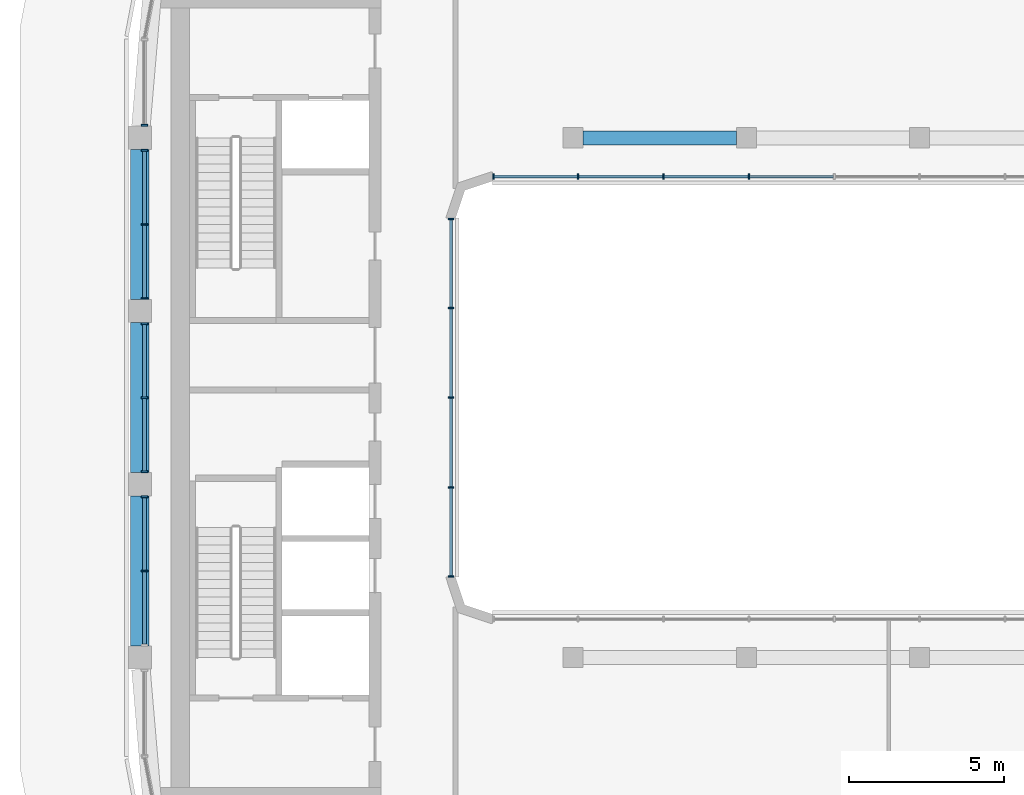
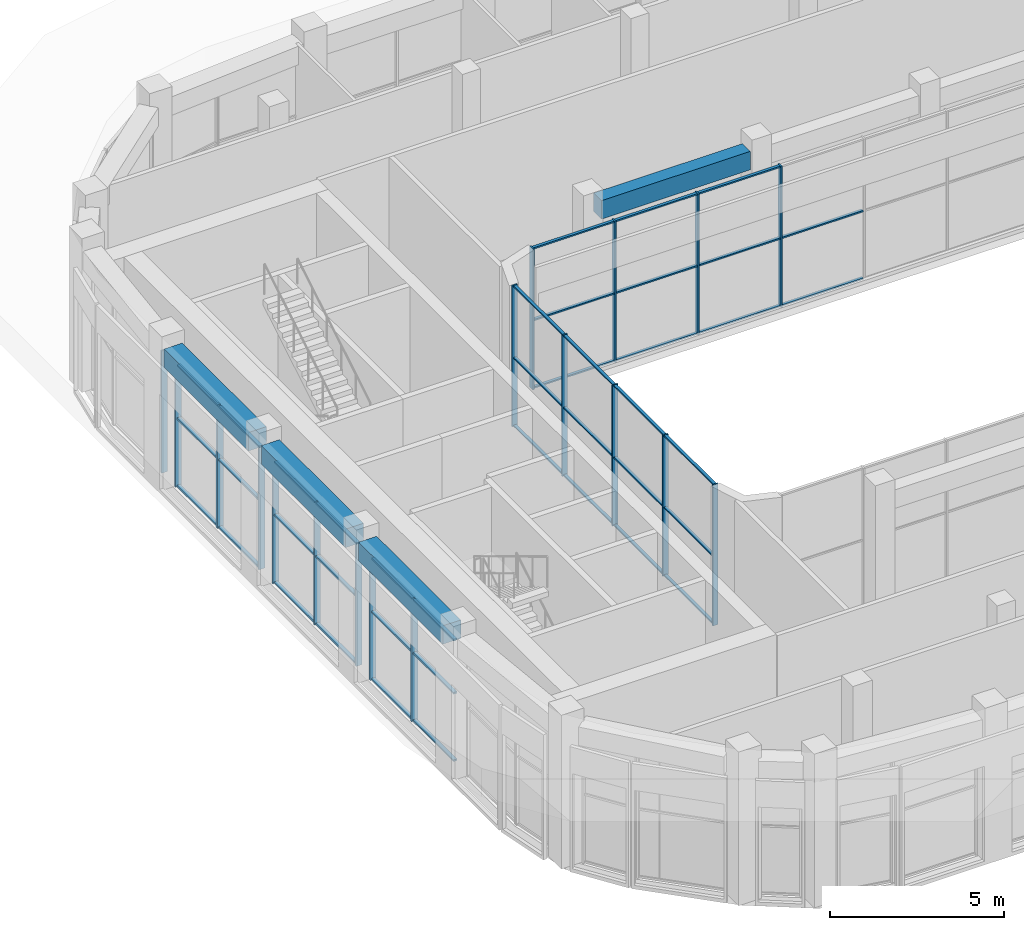
# One storey, part 4 of 24: 59 members, 4 beams, 6 elements without a shape of their own.
"""IFC4 building model written with IfcOpenShell, lengths in metres."""

from ifc_helpers import new_model, si_unit, direction, frame, origin, origin_2d, place, context, subcontext, project, spatial, rectangle, extrude, material, layer, layer_set, material_profile, profile_set, type_object, element, aggregate, save


model = new_model("IFC4")

# Units and contexts
model_context = context("Model", 3, precision=1e-05, world=origin(), true_north=direction((0.0, 1.0)))
body_context = subcontext(model_context, "Body", "Model", "MODEL_VIEW")
ifc_project = project(units=[si_unit("LENGTHUNIT", "METRE"), si_unit("AREAUNIT", "SQUARE_METRE"), si_unit("VOLUMEUNIT", "CUBIC_METRE"), si_unit("PLANEANGLEUNIT", "RADIAN"), si_unit("MASSUNIT", "GRAM", prefix="KILO")], contexts=[model_context])

# Site, building, storey
site_placement = place(None, origin())
site = spatial("IfcSite", under=ifc_project, at=site_placement, CompositionType="ELEMENT")
building_placement = place(site_placement, origin())
building = spatial("IfcBuilding", under=site, at=building_placement, Name="Kiln Ring Residences", CompositionType="ELEMENT")
storey_placement = place(building_placement, frame((0.0, 0.0, 283.699951171875)))
storey = spatial("IfcBuildingStorey", under=building, at=storey_placement, Name="L74", CompositionType="ELEMENT", Elevation=283.699951171875)

# Curtain wall, member
ifc_material_1 = material(Name="Aluminium and glass", Category="aluminium")
ifc_layer_1 = layer(ifc_material_1, 0.199951171875)
ifc_layer_set_1 = layer_set([ifc_layer_1], Name="CW1 CURTAIN WALL")
curtain_wall_type_1 = type_object("IfcCurtainWallType", Name="CW1 CURTAIN WALL", PredefinedType="NOTDEFINED", material=ifc_layer_set_1)
placement = place(storey_placement, origin())
curtain_wall_1 = element("IfcCurtainWall", 1, at=placement, inside=storey, type_object=curtain_wall_type_1, Name="Curtain wall CW1 L74", PredefinedType="NOTDEFINED")
ifc_material_2 = material(Name="Aluminium 6063-T6", Category="aluminium")
ifc_material_profile_1 = material_profile(ifc_material_2, rectangle(XDim=0.199951171875, YDim=0.06005859375, at=origin_2d()), Name="AL 200x60")
ifc_profile_set_1 = profile_set([ifc_material_profile_1], Name="Aluminium 6063-T6")
member_type_1 = type_object("IfcMemberType", Name="CW1 MULLION 200 x 60", PredefinedType="MULLION", material=ifc_profile_set_1)
member_1_placement = place(storey_placement, frame((-25.050048828125, 8.804931640625, 0.0), z_axis=(0.0, 0.0, 1.0), x_axis=(1.0, 0.0, 0.0)))
member_1 = element("IfcMember", 2, at=member_1_placement, type_object=member_type_1, Name="CW1 mullion 2", PredefinedType="MULLION", context=body_context, shape_type="SweptSolid", body=[
    extrude(rectangle(XDim=0.199951171875, YDim=0.06005859375, at=origin_2d()), origin(), (0.0, 0.0, 1.0), 4.300048828125),
])
aggregate(curtain_wall_1, [member_1])

# Curtain wall, members
curtain_wall_2 = element("IfcCurtainWall", 3, at=placement, inside=storey, type_object=curtain_wall_type_1, Name="Curtain wall CW1 L74", PredefinedType="NOTDEFINED")
member_2_placement = place(storey_placement, frame((-25.050048828125, 7.9951171875, 0.0), z_axis=(0.0, 0.0, 1.0), x_axis=(1.0, 0.0, 0.0)))
member_2 = element("IfcMember", 4, at=member_2_placement, type_object=member_type_1, Name="CW1 mullion 1", PredefinedType="MULLION", context=body_context, shape_type="SweptSolid", body=[
    extrude(rectangle(XDim=0.199951171875, YDim=0.06005859375, at=origin_2d()), origin(), (0.0, 0.0, 1.0), 4.300048828125),
])
member_3_placement = place(storey_placement, frame((-25.050048828125, 5.60009765625, 0.0), z_axis=(0.0, 0.0, 1.0), x_axis=(1.0, 0.0, 0.0)))
member_3 = element("IfcMember", 5, at=member_3_placement, type_object=member_type_1, Name="CW1 mullion 2", PredefinedType="MULLION", context=body_context, shape_type="SweptSolid", body=[
    extrude(rectangle(XDim=0.199951171875, YDim=0.06005859375, at=origin_2d()), origin(), (0.0, 0.0, 1.0), 4.300048828125),
])
member_4_placement = place(storey_placement, frame((-25.050048828125, 3.205078125, 0.0), z_axis=(0.0, 0.0, 1.0), x_axis=(1.0, 0.0, 0.0)))
member_4 = element("IfcMember", 6, at=member_4_placement, type_object=member_type_1, Name="CW1 mullion 3", PredefinedType="MULLION", context=body_context, shape_type="SweptSolid", body=[
    extrude(rectangle(XDim=0.199951171875, YDim=0.06005859375, at=origin_2d()), origin(), (0.0, 0.0, 1.0), 4.300048828125),
])

curtain_wall_3 = element("IfcCurtainWall", 7, at=placement, inside=storey, type_object=curtain_wall_type_1, Name="Curtain wall CW1 L74", PredefinedType="NOTDEFINED")
member_5_placement = place(storey_placement, frame((-25.050048828125, 2.39501953125, 0.0), z_axis=(0.0, 0.0, 1.0), x_axis=(1.0, 0.0, 0.0)))
member_5 = element("IfcMember", 8, at=member_5_placement, type_object=member_type_1, Name="CW1 mullion 1", PredefinedType="MULLION", context=body_context, shape_type="SweptSolid", body=[
    extrude(rectangle(XDim=0.199951171875, YDim=0.06005859375, at=origin_2d()), origin(), (0.0, 0.0, 1.0), 4.300048828125),
])
member_6_placement = place(storey_placement, frame((-25.050048828125, 0.0, 0.0), z_axis=(0.0, 0.0, 1.0), x_axis=(1.0, 0.0, 0.0)))
member_6 = element("IfcMember", 9, at=member_6_placement, type_object=member_type_1, Name="CW1 mullion 2", PredefinedType="MULLION", context=body_context, shape_type="SweptSolid", body=[
    extrude(rectangle(XDim=0.199951171875, YDim=0.06005859375, at=origin_2d()), origin(), (0.0, 0.0, 1.0), 4.300048828125),
])
member_7_placement = place(storey_placement, frame((-25.050048828125, -2.39501953125, 0.0), z_axis=(0.0, 0.0, 1.0), x_axis=(1.0, 0.0, 0.0)))
member_7 = element("IfcMember", 10, at=member_7_placement, type_object=member_type_1, Name="CW1 mullion 3", PredefinedType="MULLION", context=body_context, shape_type="SweptSolid", body=[
    extrude(rectangle(XDim=0.199951171875, YDim=0.06005859375, at=origin_2d()), origin(), (0.0, 0.0, 1.0), 4.300048828125),
])

curtain_wall_4 = element("IfcCurtainWall", 11, at=placement, inside=storey, type_object=curtain_wall_type_1, Name="Curtain wall CW1 L74", PredefinedType="NOTDEFINED")
member_8_placement = place(storey_placement, frame((-25.050048828125, -3.205078125, 0.0), z_axis=(0.0, 0.0, 1.0), x_axis=(1.0, 0.0, 0.0)))
member_8 = element("IfcMember", 12, at=member_8_placement, type_object=member_type_1, Name="CW1 mullion 1", PredefinedType="MULLION", context=body_context, shape_type="SweptSolid", body=[
    extrude(rectangle(XDim=0.199951171875, YDim=0.06005859375, at=origin_2d()), origin(), (0.0, 0.0, 1.0), 4.300048828125),
])
member_9_placement = place(storey_placement, frame((-25.050048828125, -5.60009765625, 0.0), z_axis=(0.0, 0.0, 1.0), x_axis=(1.0, 0.0, 0.0)))
member_9 = element("IfcMember", 13, at=member_9_placement, type_object=member_type_1, Name="CW1 mullion 2", PredefinedType="MULLION", context=body_context, shape_type="SweptSolid", body=[
    extrude(rectangle(XDim=0.199951171875, YDim=0.06005859375, at=origin_2d()), origin(), (0.0, 0.0, 1.0), 4.300048828125),
])

# Member
ifc_material_3 = material(Name="Aluminium 6063-T6", Category="aluminium")
ifc_material_profile_2 = material_profile(ifc_material_3, rectangle(XDim=0.1201171875, YDim=0.06005859375, at=origin_2d()), Name="AL 120x60")
ifc_profile_set_2 = profile_set([ifc_material_profile_2], Name="Aluminium 6063-T6")
member_type_2 = type_object("IfcMemberType", Name="CW1 TRANSOM 120 x 60", PredefinedType="USERDEFINED", material=ifc_profile_set_2)
member_10_placement = place(storey_placement, frame((-25.050048828125, 7.965087890625, 0.030029296875), z_axis=(0.0, -1.0, 0.0), x_axis=(1.0, 0.0, 0.0)))
member_10 = element("IfcMember", 14, at=member_10_placement, type_object=member_type_2, Name="CW1 transom 1.1", ObjectType="TRANSOM", PredefinedType="USERDEFINED", context=body_context, shape_type="SweptSolid", body=[
    extrude(rectangle(XDim=0.1201171875, YDim=0.06005859375, at=origin_2d()), origin(), (0.0, 0.0, 1.0), 2.335205078125),
])

member_11_placement = place(storey_placement, frame((-25.050048828125, 7.965087890625, 2.400146484375), z_axis=(0.0, -1.0, 0.0), x_axis=(1.0, 0.0, 0.0)))
member_11 = element("IfcMember", 15, at=member_11_placement, type_object=member_type_2, Name="CW1 transom 1.2", ObjectType="TRANSOM", PredefinedType="USERDEFINED", context=body_context, shape_type="SweptSolid", body=[
    extrude(rectangle(XDim=0.1201171875, YDim=0.06005859375, at=origin_2d()), origin(), (0.0, 0.0, 1.0), 2.335205078125),
])

member_12_placement = place(storey_placement, frame((-25.050048828125, 7.965087890625, 4.27001953125), z_axis=(0.0, -1.0, 0.0), x_axis=(1.0, 0.0, 0.0)))
member_12 = element("IfcMember", 16, at=member_12_placement, type_object=member_type_2, Name="CW1 transom 1.3", ObjectType="TRANSOM", PredefinedType="USERDEFINED", context=body_context, shape_type="SweptSolid", body=[
    extrude(rectangle(XDim=0.1201171875, YDim=0.06005859375, at=origin_2d()), origin(), (0.0, 0.0, 1.0), 2.335205078125),
])

member_13_placement = place(storey_placement, frame((-25.050048828125, 5.570068359375, 0.030029296875), z_axis=(0.0, -1.0, 0.0), x_axis=(1.0, 0.0, 0.0)))
member_13 = element("IfcMember", 17, at=member_13_placement, type_object=member_type_2, Name="CW1 transom 2.1", ObjectType="TRANSOM", PredefinedType="USERDEFINED", context=body_context, shape_type="SweptSolid", body=[
    extrude(rectangle(XDim=0.1201171875, YDim=0.06005859375, at=origin_2d()), origin(), (0.0, 0.0, 1.0), 2.3349609375),
])

member_14_placement = place(storey_placement, frame((-25.050048828125, 5.570068359375, 2.400146484375), z_axis=(0.0, -1.0, 0.0), x_axis=(1.0, 0.0, 0.0)))
member_14 = element("IfcMember", 18, at=member_14_placement, type_object=member_type_2, Name="CW1 transom 2.2", ObjectType="TRANSOM", PredefinedType="USERDEFINED", context=body_context, shape_type="SweptSolid", body=[
    extrude(rectangle(XDim=0.1201171875, YDim=0.06005859375, at=origin_2d()), origin(), (0.0, 0.0, 1.0), 2.3349609375),
])

member_15_placement = place(storey_placement, frame((-25.050048828125, 5.570068359375, 4.27001953125), z_axis=(0.0, -1.0, 0.0), x_axis=(1.0, 0.0, 0.0)))
member_15 = element("IfcMember", 19, at=member_15_placement, type_object=member_type_2, Name="CW1 transom 2.3", ObjectType="TRANSOM", PredefinedType="USERDEFINED", context=body_context, shape_type="SweptSolid", body=[
    extrude(rectangle(XDim=0.1201171875, YDim=0.06005859375, at=origin_2d()), origin(), (0.0, 0.0, 1.0), 2.3349609375),
])

aggregate(curtain_wall_2, [member_2, member_3, member_4, member_10, member_11, member_12, member_13, member_14, member_15])

member_16_placement = place(storey_placement, frame((-25.050048828125, 2.364990234375, 0.030029296875), z_axis=(0.0, -1.0, 0.0), x_axis=(1.0, 0.0, 0.0)))
member_16 = element("IfcMember", 20, at=member_16_placement, type_object=member_type_2, Name="CW1 transom 1.1", ObjectType="TRANSOM", PredefinedType="USERDEFINED", context=body_context, shape_type="SweptSolid", body=[
    extrude(rectangle(XDim=0.1201171875, YDim=0.06005859375, at=origin_2d()), origin(), (0.0, 0.0, 1.0), 2.3349609375),
])

member_17_placement = place(storey_placement, frame((-25.050048828125, 2.364990234375, 2.400146484375), z_axis=(0.0, -1.0, 0.0), x_axis=(1.0, 0.0, 0.0)))
member_17 = element("IfcMember", 21, at=member_17_placement, type_object=member_type_2, Name="CW1 transom 1.2", ObjectType="TRANSOM", PredefinedType="USERDEFINED", context=body_context, shape_type="SweptSolid", body=[
    extrude(rectangle(XDim=0.1201171875, YDim=0.06005859375, at=origin_2d()), origin(), (0.0, 0.0, 1.0), 2.3349609375),
])

member_18_placement = place(storey_placement, frame((-25.050048828125, 2.364990234375, 4.27001953125), z_axis=(0.0, -1.0, 0.0), x_axis=(1.0, 0.0, 0.0)))
member_18 = element("IfcMember", 22, at=member_18_placement, type_object=member_type_2, Name="CW1 transom 1.3", ObjectType="TRANSOM", PredefinedType="USERDEFINED", context=body_context, shape_type="SweptSolid", body=[
    extrude(rectangle(XDim=0.1201171875, YDim=0.06005859375, at=origin_2d()), origin(), (0.0, 0.0, 1.0), 2.3349609375),
])

member_19_placement = place(storey_placement, frame((-25.050048828125, -0.030029296875, 0.030029296875), z_axis=(0.0, -1.0, 0.0), x_axis=(1.0, 0.0, 0.0)))
member_19 = element("IfcMember", 23, at=member_19_placement, type_object=member_type_2, Name="CW1 transom 2.1", ObjectType="TRANSOM", PredefinedType="USERDEFINED", context=body_context, shape_type="SweptSolid", body=[
    extrude(rectangle(XDim=0.1201171875, YDim=0.06005859375, at=origin_2d()), origin(), (0.0, 0.0, 1.0), 2.3349609375),
])

member_20_placement = place(storey_placement, frame((-25.050048828125, -0.030029296875, 2.400146484375), z_axis=(0.0, -1.0, 0.0), x_axis=(1.0, 0.0, 0.0)))
member_20 = element("IfcMember", 24, at=member_20_placement, type_object=member_type_2, Name="CW1 transom 2.2", ObjectType="TRANSOM", PredefinedType="USERDEFINED", context=body_context, shape_type="SweptSolid", body=[
    extrude(rectangle(XDim=0.1201171875, YDim=0.06005859375, at=origin_2d()), origin(), (0.0, 0.0, 1.0), 2.3349609375),
])

member_21_placement = place(storey_placement, frame((-25.050048828125, -0.030029296875, 4.27001953125), z_axis=(0.0, -1.0, 0.0), x_axis=(1.0, 0.0, 0.0)))
member_21 = element("IfcMember", 25, at=member_21_placement, type_object=member_type_2, Name="CW1 transom 2.3", ObjectType="TRANSOM", PredefinedType="USERDEFINED", context=body_context, shape_type="SweptSolid", body=[
    extrude(rectangle(XDim=0.1201171875, YDim=0.06005859375, at=origin_2d()), origin(), (0.0, 0.0, 1.0), 2.3349609375),
])

aggregate(curtain_wall_3, [member_5, member_6, member_7, member_16, member_17, member_18, member_19, member_20, member_21])

member_22_placement = place(storey_placement, frame((-25.050048828125, -3.235107421875, 0.030029296875), z_axis=(0.0, -1.0, 0.0), x_axis=(1.0, 0.0, 0.0)))
member_22 = element("IfcMember", 26, at=member_22_placement, type_object=member_type_2, Name="CW1 transom 1.1", ObjectType="TRANSOM", PredefinedType="USERDEFINED", context=body_context, shape_type="SweptSolid", body=[
    extrude(rectangle(XDim=0.1201171875, YDim=0.06005859375, at=origin_2d()), origin(), (0.0, 0.0, 1.0), 2.3349609375),
])

member_23_placement = place(storey_placement, frame((-25.050048828125, -3.235107421875, 2.400146484375), z_axis=(0.0, -1.0, 0.0), x_axis=(1.0, 0.0, 0.0)))
member_23 = element("IfcMember", 27, at=member_23_placement, type_object=member_type_2, Name="CW1 transom 1.2", ObjectType="TRANSOM", PredefinedType="USERDEFINED", context=body_context, shape_type="SweptSolid", body=[
    extrude(rectangle(XDim=0.1201171875, YDim=0.06005859375, at=origin_2d()), origin(), (0.0, 0.0, 1.0), 2.3349609375),
])

member_24_placement = place(storey_placement, frame((-25.050048828125, -3.235107421875, 4.27001953125), z_axis=(0.0, -1.0, 0.0), x_axis=(1.0, 0.0, 0.0)))
member_24 = element("IfcMember", 28, at=member_24_placement, type_object=member_type_2, Name="CW1 transom 1.3", ObjectType="TRANSOM", PredefinedType="USERDEFINED", context=body_context, shape_type="SweptSolid", body=[
    extrude(rectangle(XDim=0.1201171875, YDim=0.06005859375, at=origin_2d()), origin(), (0.0, 0.0, 1.0), 2.3349609375),
])

member_25_placement = place(storey_placement, frame((-25.050048828125, -5.6298828125, 0.030029296875), z_axis=(0.0, -1.0, 0.0), x_axis=(1.0, 0.0, 0.0)))
member_25 = element("IfcMember", 29, at=member_25_placement, type_object=member_type_2, Name="CW1 transom 2.1", ObjectType="TRANSOM", PredefinedType="USERDEFINED", context=body_context, shape_type="SweptSolid", body=[
    extrude(rectangle(XDim=0.1201171875, YDim=0.06005859375, at=origin_2d()), origin(), (0.0, 0.0, 1.0), 2.335205078125),
])

member_26_placement = place(storey_placement, frame((-25.050048828125, -5.6298828125, 2.400146484375), z_axis=(0.0, -1.0, 0.0), x_axis=(1.0, 0.0, 0.0)))
member_26 = element("IfcMember", 30, at=member_26_placement, type_object=member_type_2, Name="CW1 transom 2.2", ObjectType="TRANSOM", PredefinedType="USERDEFINED", context=body_context, shape_type="SweptSolid", body=[
    extrude(rectangle(XDim=0.1201171875, YDim=0.06005859375, at=origin_2d()), origin(), (0.0, 0.0, 1.0), 2.335205078125),
])

member_27_placement = place(storey_placement, frame((-25.050048828125, -5.6298828125, 4.27001953125), z_axis=(0.0, -1.0, 0.0), x_axis=(1.0, 0.0, 0.0)))
member_27 = element("IfcMember", 31, at=member_27_placement, type_object=member_type_2, Name="CW1 transom 2.3", ObjectType="TRANSOM", PredefinedType="USERDEFINED", context=body_context, shape_type="SweptSolid", body=[
    extrude(rectangle(XDim=0.1201171875, YDim=0.06005859375, at=origin_2d()), origin(), (0.0, 0.0, 1.0), 2.335205078125),
])

aggregate(curtain_wall_4, [member_8, member_9, member_22, member_23, member_24, member_25, member_26, member_27])

# Curtain wall, members
ifc_material_4 = material(Name="Aluminium and glass", Category="aluminium")
ifc_layer_2 = layer(ifc_material_4, 0.179931640625)
ifc_layer_set_2 = layer_set([ifc_layer_2], Name="CW3 CURTAIN WALL")
curtain_wall_type_2 = type_object("IfcCurtainWallType", Name="CW3 CURTAIN WALL", PredefinedType="NOTDEFINED", material=ifc_layer_set_2)
curtain_wall_5 = element("IfcCurtainWall", 32, at=placement, inside=storey, type_object=curtain_wall_type_2, Name="Curtain wall CW3 L74", PredefinedType="NOTDEFINED")
ifc_material_5 = material(Name="Aluminium 6063-T6", Category="aluminium")
ifc_material_profile_3 = material_profile(ifc_material_5, rectangle(XDim=0.179931640625, YDim=0.050048828125, at=origin_2d()), Name="AL 180x50")
ifc_profile_set_3 = profile_set([ifc_material_profile_3], Name="Aluminium 6063-T6")
member_type_3 = type_object("IfcMemberType", Name="CW3 MULLION 180 x 50", PredefinedType="MULLION", material=ifc_profile_set_3)
member_28_placement = place(storey_placement, frame((-15.14990234375, -5.77490234375, 0.0), z_axis=(0.0, 0.0, 1.0), x_axis=(-1.0, 0.0, 0.0)))
member_28 = element("IfcMember", 33, at=member_28_placement, type_object=member_type_3, Name="CW3 mullion 1", PredefinedType="MULLION", context=body_context, shape_type="SweptSolid", body=[
    extrude(rectangle(XDim=0.179931640625, YDim=0.050048828125, at=origin_2d()), origin(), (0.0, 0.0, 1.0), 4.949951171875),
])
member_29_placement = place(storey_placement, frame((-15.14990234375, -2.89990234375, 0.0), z_axis=(0.0, 0.0, 1.0), x_axis=(-1.0, 0.0, 0.0)))
member_29 = element("IfcMember", 34, at=member_29_placement, type_object=member_type_3, Name="CW3 mullion 2", PredefinedType="MULLION", context=body_context, shape_type="SweptSolid", body=[
    extrude(rectangle(XDim=0.179931640625, YDim=0.050048828125, at=origin_2d()), origin(), (0.0, 0.0, 1.0), 4.949951171875),
])
member_30_placement = place(storey_placement, frame((-15.14990234375, 0.0, 0.0), z_axis=(0.0, 0.0, 1.0), x_axis=(-1.0, 0.0, 0.0)))
member_30 = element("IfcMember", 35, at=member_30_placement, type_object=member_type_3, Name="CW3 mullion 3", PredefinedType="MULLION", context=body_context, shape_type="SweptSolid", body=[
    extrude(rectangle(XDim=0.179931640625, YDim=0.050048828125, at=origin_2d()), origin(), (0.0, 0.0, 1.0), 4.949951171875),
])
member_31_placement = place(storey_placement, frame((-15.14990234375, 2.89990234375, 0.0), z_axis=(0.0, 0.0, 1.0), x_axis=(-1.0, 0.0, 0.0)))
member_31 = element("IfcMember", 36, at=member_31_placement, type_object=member_type_3, Name="CW3 mullion 4", PredefinedType="MULLION", context=body_context, shape_type="SweptSolid", body=[
    extrude(rectangle(XDim=0.179931640625, YDim=0.050048828125, at=origin_2d()), origin(), (0.0, 0.0, 1.0), 4.949951171875),
])
member_32_placement = place(storey_placement, frame((-15.14990234375, 5.77490234375, 0.0), z_axis=(0.0, 0.0, 1.0), x_axis=(-1.0, 0.0, 0.0)))
member_32 = element("IfcMember", 37, at=member_32_placement, type_object=member_type_3, Name="CW3 mullion 5", PredefinedType="MULLION", context=body_context, shape_type="SweptSolid", body=[
    extrude(rectangle(XDim=0.179931640625, YDim=0.050048828125, at=origin_2d()), origin(), (0.0, 0.0, 1.0), 4.949951171875),
])

curtain_wall_6 = element("IfcCurtainWall", 38, at=placement, inside=storey, type_object=curtain_wall_type_2, Name="Curtain wall CW3 L74", PredefinedType="NOTDEFINED")
member_33_placement = place(storey_placement, frame((-13.77490234375, 7.14990234375, 0.0), z_axis=(0.0, 0.0, 1.0), x_axis=(0.0, 1.0, 0.0)))
member_33 = element("IfcMember", 39, at=member_33_placement, type_object=member_type_3, Name="CW3 mullion 1", PredefinedType="MULLION", context=body_context, shape_type="SweptSolid", body=[
    extrude(rectangle(XDim=0.179931640625, YDim=0.050048828125, at=origin_2d()), origin(), (0.0, 0.0, 1.0), 4.949951171875),
])
member_34_placement = place(storey_placement, frame((-11.0400390625, 7.14990234375, 0.0), z_axis=(0.0, 0.0, 1.0), x_axis=(0.0, 1.0, 0.0)))
member_34 = element("IfcMember", 40, at=member_34_placement, type_object=member_type_3, Name="CW3 mullion 2", PredefinedType="MULLION", context=body_context, shape_type="SweptSolid", body=[
    extrude(rectangle(XDim=0.179931640625, YDim=0.050048828125, at=origin_2d()), origin(), (0.0, 0.0, 1.0), 4.949951171875),
])
member_35_placement = place(storey_placement, frame((-8.280029296875, 7.14990234375, 0.0), z_axis=(0.0, 0.0, 1.0), x_axis=(0.0, 1.0, 0.0)))
member_35 = element("IfcMember", 41, at=member_35_placement, type_object=member_type_3, Name="CW3 mullion 3", PredefinedType="MULLION", context=body_context, shape_type="SweptSolid", body=[
    extrude(rectangle(XDim=0.179931640625, YDim=0.050048828125, at=origin_2d()), origin(), (0.0, 0.0, 1.0), 4.949951171875),
])
member_36_placement = place(storey_placement, frame((-5.52001953125, 7.14990234375, 0.0), z_axis=(0.0, 0.0, 1.0), x_axis=(0.0, 1.0, 0.0)))
member_36 = element("IfcMember", 42, at=member_36_placement, type_object=member_type_3, Name="CW3 mullion 4", PredefinedType="MULLION", context=body_context, shape_type="SweptSolid", body=[
    extrude(rectangle(XDim=0.179931640625, YDim=0.050048828125, at=origin_2d()), origin(), (0.0, 0.0, 1.0), 4.949951171875),
])

# Member
ifc_material_6 = material(Name="Aluminium 6063-T6", Category="aluminium")
ifc_material_profile_4 = material_profile(ifc_material_6, rectangle(XDim=0.10009765625, YDim=0.050048828125, at=origin_2d()), Name="AL 100x50")
ifc_profile_set_4 = profile_set([ifc_material_profile_4], Name="Aluminium 6063-T6")
member_type_4 = type_object("IfcMemberType", Name="CW3 TRANSOM 100 x 50", PredefinedType="USERDEFINED", material=ifc_profile_set_4)
member_37_placement = place(storey_placement, frame((-15.14990234375, -5.75, 0.025146484375), z_axis=(0.0, 1.0, 0.0), x_axis=(-1.0, 0.0, 0.0)))
member_37 = element("IfcMember", 43, at=member_37_placement, type_object=member_type_4, Name="CW3 transom 1.1", ObjectType="TRANSOM", PredefinedType="USERDEFINED", context=body_context, shape_type="SweptSolid", body=[
    extrude(rectangle(XDim=0.10009765625, YDim=0.050048828125, at=origin_2d()), origin(), (0.0, 0.0, 1.0), 2.824951171875),
])

member_38_placement = place(storey_placement, frame((-15.14990234375, -5.75, 2.400146484375), z_axis=(0.0, 1.0, 0.0), x_axis=(-1.0, 0.0, 0.0)))
member_38 = element("IfcMember", 44, at=member_38_placement, type_object=member_type_4, Name="CW3 transom 1.2", ObjectType="TRANSOM", PredefinedType="USERDEFINED", context=body_context, shape_type="SweptSolid", body=[
    extrude(rectangle(XDim=0.10009765625, YDim=0.050048828125, at=origin_2d()), origin(), (0.0, 0.0, 1.0), 2.824951171875),
])

member_39_placement = place(storey_placement, frame((-15.14990234375, -5.75, 4.925048828125), z_axis=(0.0, 1.0, 0.0), x_axis=(-1.0, 0.0, 0.0)))
member_39 = element("IfcMember", 45, at=member_39_placement, type_object=member_type_4, Name="CW3 transom 1.3", ObjectType="TRANSOM", PredefinedType="USERDEFINED", context=body_context, shape_type="SweptSolid", body=[
    extrude(rectangle(XDim=0.10009765625, YDim=0.050048828125, at=origin_2d()), origin(), (0.0, 0.0, 1.0), 2.824951171875),
])

member_40_placement = place(storey_placement, frame((-15.14990234375, -2.875, 0.025146484375), z_axis=(0.0, 1.0, 0.0), x_axis=(-1.0, 0.0, 0.0)))
member_40 = element("IfcMember", 46, at=member_40_placement, type_object=member_type_4, Name="CW3 transom 2.1", ObjectType="TRANSOM", PredefinedType="USERDEFINED", context=body_context, shape_type="SweptSolid", body=[
    extrude(rectangle(XDim=0.10009765625, YDim=0.050048828125, at=origin_2d()), origin(), (0.0, 0.0, 1.0), 2.85009765625),
])

member_41_placement = place(storey_placement, frame((-15.14990234375, -2.875, 2.400146484375), z_axis=(0.0, 1.0, 0.0), x_axis=(-1.0, 0.0, 0.0)))
member_41 = element("IfcMember", 47, at=member_41_placement, type_object=member_type_4, Name="CW3 transom 2.2", ObjectType="TRANSOM", PredefinedType="USERDEFINED", context=body_context, shape_type="SweptSolid", body=[
    extrude(rectangle(XDim=0.10009765625, YDim=0.050048828125, at=origin_2d()), origin(), (0.0, 0.0, 1.0), 2.85009765625),
])

member_42_placement = place(storey_placement, frame((-15.14990234375, -2.875, 4.925048828125), z_axis=(0.0, 1.0, 0.0), x_axis=(-1.0, 0.0, 0.0)))
member_42 = element("IfcMember", 48, at=member_42_placement, type_object=member_type_4, Name="CW3 transom 2.3", ObjectType="TRANSOM", PredefinedType="USERDEFINED", context=body_context, shape_type="SweptSolid", body=[
    extrude(rectangle(XDim=0.10009765625, YDim=0.050048828125, at=origin_2d()), origin(), (0.0, 0.0, 1.0), 2.85009765625),
])

member_43_placement = place(storey_placement, frame((-15.14990234375, 0.02490234375, 0.025146484375), z_axis=(0.0, 1.0, 0.0), x_axis=(-1.0, 0.0, 0.0)))
member_43 = element("IfcMember", 49, at=member_43_placement, type_object=member_type_4, Name="CW3 transom 3.1", ObjectType="TRANSOM", PredefinedType="USERDEFINED", context=body_context, shape_type="SweptSolid", body=[
    extrude(rectangle(XDim=0.10009765625, YDim=0.050048828125, at=origin_2d()), origin(), (0.0, 0.0, 1.0), 2.85009765625),
])

member_44_placement = place(storey_placement, frame((-15.14990234375, 0.02490234375, 2.400146484375), z_axis=(0.0, 1.0, 0.0), x_axis=(-1.0, 0.0, 0.0)))
member_44 = element("IfcMember", 50, at=member_44_placement, type_object=member_type_4, Name="CW3 transom 3.2", ObjectType="TRANSOM", PredefinedType="USERDEFINED", context=body_context, shape_type="SweptSolid", body=[
    extrude(rectangle(XDim=0.10009765625, YDim=0.050048828125, at=origin_2d()), origin(), (0.0, 0.0, 1.0), 2.85009765625),
])

member_45_placement = place(storey_placement, frame((-15.14990234375, 0.02490234375, 4.925048828125), z_axis=(0.0, 1.0, 0.0), x_axis=(-1.0, 0.0, 0.0)))
member_45 = element("IfcMember", 51, at=member_45_placement, type_object=member_type_4, Name="CW3 transom 3.3", ObjectType="TRANSOM", PredefinedType="USERDEFINED", context=body_context, shape_type="SweptSolid", body=[
    extrude(rectangle(XDim=0.10009765625, YDim=0.050048828125, at=origin_2d()), origin(), (0.0, 0.0, 1.0), 2.85009765625),
])

member_46_placement = place(storey_placement, frame((-15.14990234375, 2.925048828125, 0.025146484375), z_axis=(0.0, 1.0, 0.0), x_axis=(-1.0, 0.0, 0.0)))
member_46 = element("IfcMember", 52, at=member_46_placement, type_object=member_type_4, Name="CW3 transom 4.1", ObjectType="TRANSOM", PredefinedType="USERDEFINED", context=body_context, shape_type="SweptSolid", body=[
    extrude(rectangle(XDim=0.10009765625, YDim=0.050048828125, at=origin_2d()), origin(), (0.0, 0.0, 1.0), 2.824951171875),
])

member_47_placement = place(storey_placement, frame((-15.14990234375, 2.925048828125, 2.400146484375), z_axis=(0.0, 1.0, 0.0), x_axis=(-1.0, 0.0, 0.0)))
member_47 = element("IfcMember", 53, at=member_47_placement, type_object=member_type_4, Name="CW3 transom 4.2", ObjectType="TRANSOM", PredefinedType="USERDEFINED", context=body_context, shape_type="SweptSolid", body=[
    extrude(rectangle(XDim=0.10009765625, YDim=0.050048828125, at=origin_2d()), origin(), (0.0, 0.0, 1.0), 2.824951171875),
])

member_48_placement = place(storey_placement, frame((-15.14990234375, 2.925048828125, 4.925048828125), z_axis=(0.0, 1.0, 0.0), x_axis=(-1.0, 0.0, 0.0)))
member_48 = element("IfcMember", 54, at=member_48_placement, type_object=member_type_4, Name="CW3 transom 4.3", ObjectType="TRANSOM", PredefinedType="USERDEFINED", context=body_context, shape_type="SweptSolid", body=[
    extrude(rectangle(XDim=0.10009765625, YDim=0.050048828125, at=origin_2d()), origin(), (0.0, 0.0, 1.0), 2.824951171875),
])

aggregate(curtain_wall_5, [member_28, member_29, member_30, member_31, member_32, member_37, member_38, member_39, member_40, member_41, member_42, member_43, member_44, member_45, member_46, member_47, member_48])

member_49_placement = place(storey_placement, frame((-13.75, 7.14990234375, 0.025146484375), z_axis=(1.0, 0.0, 0.0), x_axis=(0.0, 1.0, 0.0)))
member_49 = element("IfcMember", 55, at=member_49_placement, type_object=member_type_4, Name="CW3 transom 1.1", ObjectType="TRANSOM", PredefinedType="USERDEFINED", context=body_context, shape_type="SweptSolid", body=[
    extrude(rectangle(XDim=0.10009765625, YDim=0.050048828125, at=origin_2d()), origin(), (0.0, 0.0, 1.0), 2.68505859375),
])

member_50_placement = place(storey_placement, frame((-13.75, 7.14990234375, 2.400146484375), z_axis=(1.0, 0.0, 0.0), x_axis=(0.0, 1.0, 0.0)))
member_50 = element("IfcMember", 56, at=member_50_placement, type_object=member_type_4, Name="CW3 transom 1.2", ObjectType="TRANSOM", PredefinedType="USERDEFINED", context=body_context, shape_type="SweptSolid", body=[
    extrude(rectangle(XDim=0.10009765625, YDim=0.050048828125, at=origin_2d()), origin(), (0.0, 0.0, 1.0), 2.68505859375),
])

member_51_placement = place(storey_placement, frame((-13.75, 7.14990234375, 4.925048828125), z_axis=(1.0, 0.0, 0.0), x_axis=(0.0, 1.0, 0.0)))
member_51 = element("IfcMember", 57, at=member_51_placement, type_object=member_type_4, Name="CW3 transom 1.3", ObjectType="TRANSOM", PredefinedType="USERDEFINED", context=body_context, shape_type="SweptSolid", body=[
    extrude(rectangle(XDim=0.10009765625, YDim=0.050048828125, at=origin_2d()), origin(), (0.0, 0.0, 1.0), 2.68505859375),
])

member_52_placement = place(storey_placement, frame((-11.014892578125, 7.14990234375, 0.025146484375), z_axis=(1.0, 0.0, 0.0), x_axis=(0.0, 1.0, 0.0)))
member_52 = element("IfcMember", 58, at=member_52_placement, type_object=member_type_4, Name="CW3 transom 2.1", ObjectType="TRANSOM", PredefinedType="USERDEFINED", context=body_context, shape_type="SweptSolid", body=[
    extrude(rectangle(XDim=0.10009765625, YDim=0.050048828125, at=origin_2d()), origin(), (0.0, 0.0, 1.0), 2.7099609375),
])

member_53_placement = place(storey_placement, frame((-11.014892578125, 7.14990234375, 2.400146484375), z_axis=(1.0, 0.0, 0.0), x_axis=(0.0, 1.0, 0.0)))
member_53 = element("IfcMember", 59, at=member_53_placement, type_object=member_type_4, Name="CW3 transom 2.2", ObjectType="TRANSOM", PredefinedType="USERDEFINED", context=body_context, shape_type="SweptSolid", body=[
    extrude(rectangle(XDim=0.10009765625, YDim=0.050048828125, at=origin_2d()), origin(), (0.0, 0.0, 1.0), 2.7099609375),
])

member_54_placement = place(storey_placement, frame((-11.014892578125, 7.14990234375, 4.925048828125), z_axis=(1.0, 0.0, 0.0), x_axis=(0.0, 1.0, 0.0)))
member_54 = element("IfcMember", 60, at=member_54_placement, type_object=member_type_4, Name="CW3 transom 2.3", ObjectType="TRANSOM", PredefinedType="USERDEFINED", context=body_context, shape_type="SweptSolid", body=[
    extrude(rectangle(XDim=0.10009765625, YDim=0.050048828125, at=origin_2d()), origin(), (0.0, 0.0, 1.0), 2.7099609375),
])

member_55_placement = place(storey_placement, frame((-8.2548828125, 7.14990234375, 0.025146484375), z_axis=(1.0, 0.0, 0.0), x_axis=(0.0, 1.0, 0.0)))
member_55 = element("IfcMember", 61, at=member_55_placement, type_object=member_type_4, Name="CW3 transom 3.1", ObjectType="TRANSOM", PredefinedType="USERDEFINED", context=body_context, shape_type="SweptSolid", body=[
    extrude(rectangle(XDim=0.10009765625, YDim=0.050048828125, at=origin_2d()), origin(), (0.0, 0.0, 1.0), 2.7099609375),
])

member_56_placement = place(storey_placement, frame((-8.2548828125, 7.14990234375, 2.400146484375), z_axis=(1.0, 0.0, 0.0), x_axis=(0.0, 1.0, 0.0)))
member_56 = element("IfcMember", 62, at=member_56_placement, type_object=member_type_4, Name="CW3 transom 3.2", ObjectType="TRANSOM", PredefinedType="USERDEFINED", context=body_context, shape_type="SweptSolid", body=[
    extrude(rectangle(XDim=0.10009765625, YDim=0.050048828125, at=origin_2d()), origin(), (0.0, 0.0, 1.0), 2.7099609375),
])

member_57_placement = place(storey_placement, frame((-8.2548828125, 7.14990234375, 4.925048828125), z_axis=(1.0, 0.0, 0.0), x_axis=(0.0, 1.0, 0.0)))
member_57 = element("IfcMember", 63, at=member_57_placement, type_object=member_type_4, Name="CW3 transom 3.3", ObjectType="TRANSOM", PredefinedType="USERDEFINED", context=body_context, shape_type="SweptSolid", body=[
    extrude(rectangle(XDim=0.10009765625, YDim=0.050048828125, at=origin_2d()), origin(), (0.0, 0.0, 1.0), 2.7099609375),
])

member_58_placement = place(storey_placement, frame((-5.4951171875, 7.14990234375, 0.025146484375), z_axis=(1.0, 0.0, 0.0), x_axis=(0.0, 1.0, 0.0)))
member_58 = element("IfcMember", 64, at=member_58_placement, type_object=member_type_4, Name="CW3 transom 4.1", ObjectType="TRANSOM", PredefinedType="USERDEFINED", context=body_context, shape_type="SweptSolid", body=[
    extrude(rectangle(XDim=0.10009765625, YDim=0.050048828125, at=origin_2d()), origin(), (0.0, 0.0, 1.0), 2.710205078125),
])

member_59_placement = place(storey_placement, frame((-5.4951171875, 7.14990234375, 2.400146484375), z_axis=(1.0, 0.0, 0.0), x_axis=(0.0, 1.0, 0.0)))
member_59 = element("IfcMember", 65, at=member_59_placement, type_object=member_type_4, Name="CW3 transom 4.2", ObjectType="TRANSOM", PredefinedType="USERDEFINED", context=body_context, shape_type="SweptSolid", body=[
    extrude(rectangle(XDim=0.10009765625, YDim=0.050048828125, at=origin_2d()), origin(), (0.0, 0.0, 1.0), 2.710205078125),
])

aggregate(curtain_wall_6, [member_33, member_34, member_35, member_36, member_49, member_50, member_51, member_52, member_53, member_54, member_55, member_56, member_57, member_58, member_59])

# Beams
ifc_material_7 = material(Name="Concrete C50/60", Category="concrete")
ifc_material_profile_5 = material_profile(ifc_material_7, rectangle(XDim=0.449951171875, YDim=0.64990234375, at=origin_2d()), Name="RC450x650")
ifc_profile_set_5 = profile_set([ifc_material_profile_5], Name="Concrete C50/60")
beam_type_1 = type_object("IfcBeamType", Name="Ring beam RC450x650 C50/60", PredefinedType="BEAM", material=ifc_profile_set_5)
beam_1_placement = place(storey_placement, frame((-10.875, 8.39990234375, 4.625), z_axis=(1.0, 0.0, 0.0), x_axis=(0.0, 1.0, 0.0)))
element("IfcBeam", 66, at=beam_1_placement, inside=storey, type_object=beam_type_1, Name="Ring beam L74 5", PredefinedType="BEAM", context=body_context, shape_type="SweptSolid", body=[
    extrude(rectangle(XDim=0.449951171875, YDim=0.64990234375, at=origin_2d()), origin(), (0.0, 0.0, 1.0), 4.949951171875),
])
ifc_material_8 = material(Name="Concrete C50/60", Category="concrete")
ifc_material_profile_6 = material_profile(ifc_material_8, rectangle(XDim=0.60009765625, YDim=0.64990234375, at=origin_2d()), Name="RC600x650")
ifc_profile_set_6 = profile_set([ifc_material_profile_6], Name="Concrete C50/60")
beam_type_2 = type_object("IfcBeamType", Name="Spandrel beam RC600x650 C50/60", PredefinedType="SPANDREL", material=ifc_profile_set_6)
beam_2_placement = place(storey_placement, frame((-25.199951171875, 8.02490234375, 4.625), z_axis=(0.0, -1.0, 0.0), x_axis=(1.0, 0.0, 0.0)))
element("IfcBeam", 67, at=beam_2_placement, inside=storey, type_object=beam_type_2, Name="Spandrel beam L74 27", PredefinedType="SPANDREL", context=body_context, shape_type="SweptSolid", body=[
    extrude(rectangle(XDim=0.60009765625, YDim=0.64990234375, at=origin_2d()), origin(), (0.0, 0.0, 1.0), 4.849853515625),
])
beam_3_placement = place(storey_placement, frame((-25.199951171875, 2.425048828125, 4.625), z_axis=(0.0, -1.0, 0.0), x_axis=(1.0, 0.0, 0.0)))
element("IfcBeam", 68, at=beam_3_placement, inside=storey, type_object=beam_type_2, Name="Spandrel beam L74 28", PredefinedType="SPANDREL", context=body_context, shape_type="SweptSolid", body=[
    extrude(rectangle(XDim=0.60009765625, YDim=0.64990234375, at=origin_2d()), origin(), (0.0, 0.0, 1.0), 4.85009765625),
])
beam_4_placement = place(storey_placement, frame((-25.199951171875, -3.175048828125, 4.625), z_axis=(0.0, -1.0, 0.0), x_axis=(1.0, 0.0, 0.0)))
element("IfcBeam", 69, at=beam_4_placement, inside=storey, type_object=beam_type_2, Name="Spandrel beam L74 29", PredefinedType="SPANDREL", context=body_context, shape_type="SweptSolid", body=[
    extrude(rectangle(XDim=0.60009765625, YDim=0.64990234375, at=origin_2d()), origin(), (0.0, 0.0, 1.0), 4.849853515625),
])

save(model, "model.ifc")
